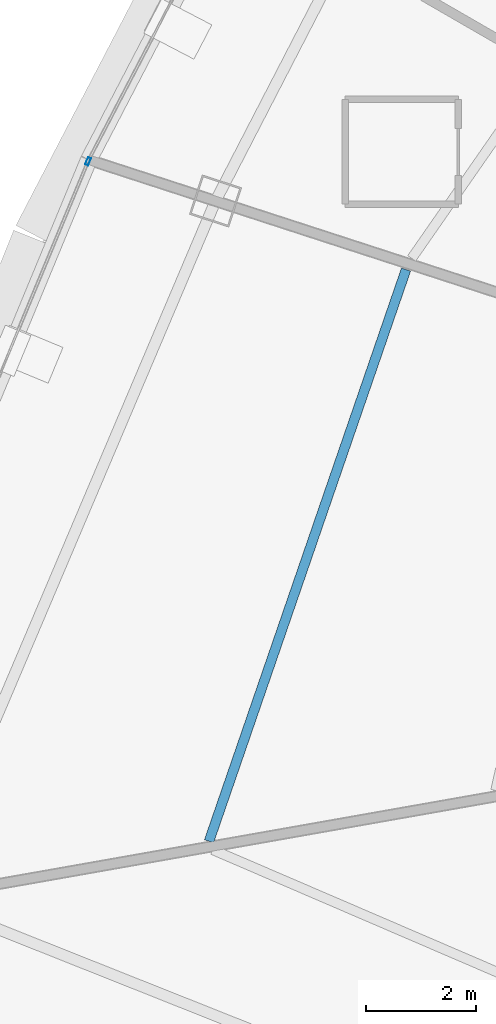
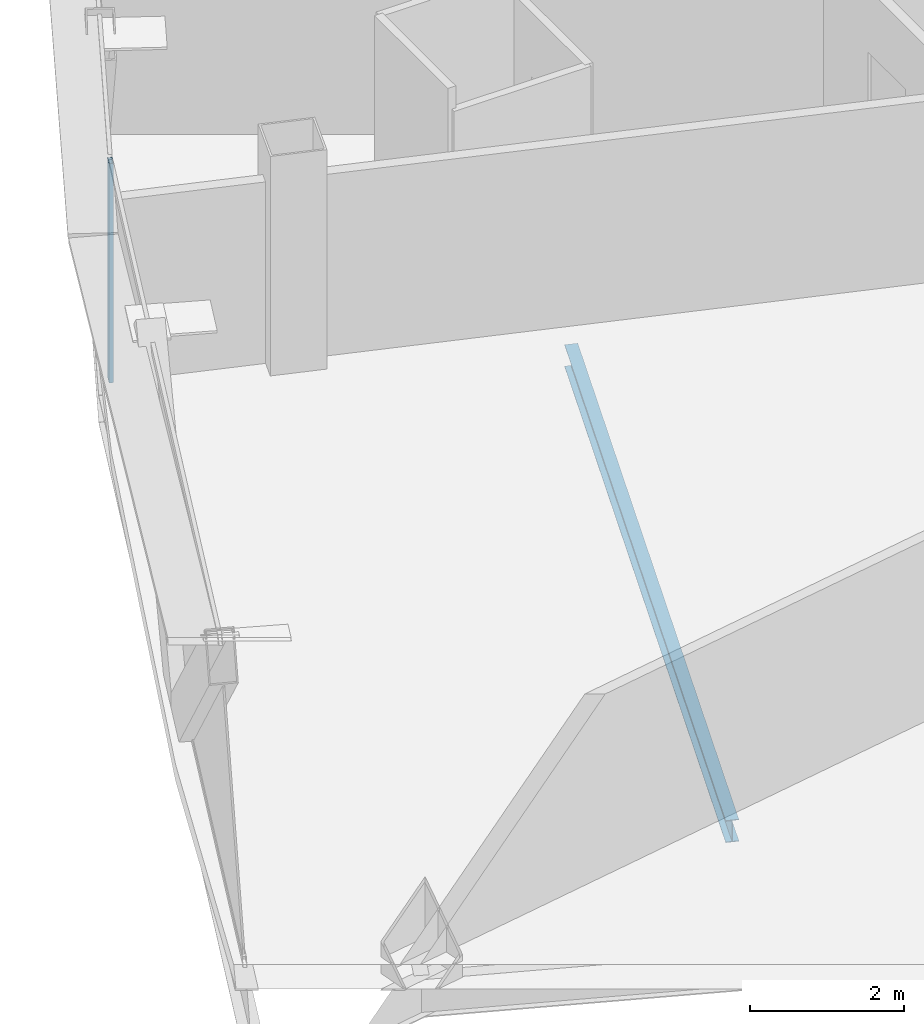
# One storey, part 8 of 39: 1 beam, 1 member, 1 element without a shape of its own.
"""IFC4 building model written with IfcOpenShell, lengths in metres."""

from ifc_helpers import new_model, si_unit, direction, frame, origin, origin_2d, place, context, subcontext, project, spatial, hollow_rectangle, i_section, extrude, source, transform, mapped, material, layer, layer_set, material_profile, profile_set, type_object, element, aggregate, save


model = new_model("IFC4")

# Units and contexts
model_context = context("Model", 3, precision=1e-05, world=origin(), true_north=direction((0.0, 1.0)))
body_context = subcontext(model_context, "Body", "Model", "MODEL_VIEW")
ifc_project = project(units=[si_unit("LENGTHUNIT", "METRE"), si_unit("AREAUNIT", "SQUARE_METRE"), si_unit("VOLUMEUNIT", "CUBIC_METRE"), si_unit("PLANEANGLEUNIT", "RADIAN"), si_unit("MASSUNIT", "GRAM", prefix="KILO"), si_unit("THERMODYNAMICTEMPERATUREUNIT", "KELVIN"), si_unit("POWERUNIT", "WATT")], contexts=[model_context])

# Site, building, storey
site_placement = place(None, origin())
site = spatial("IfcSite", under=ifc_project, at=site_placement, CompositionType="ELEMENT")
building_placement = place(site_placement, origin())
building = spatial("IfcBuilding", under=site, at=building_placement, Name="Yunzhuo Pagoda Commons", CompositionType="ELEMENT")
storey_placement = place(building_placement, frame((0.0, 0.0, 296.2099609375)))
storey = spatial("IfcBuildingStorey", under=building, at=storey_placement, Name="L74", CompositionType="ELEMENT", Elevation=296.2099609375)

# Beam
ifc_material_1 = material(Name="Structural steel Q355B", Category="steel")
ifc_material_profile_1 = material_profile(ifc_material_1, i_section(OverallWidth=0.175048828125, OverallDepth=0.35009765625, WebThickness=0.007080078125, FlangeThickness=0.010986328125, at=origin_2d()), Name="Structural steel Q355B")
ifc_profile_set_1 = profile_set([ifc_material_profile_1], Name="Structural steel Q355B")
beam_type = type_object("IfcBeamType", Name="B-JS2 Joist HN 350x175x7x11", PredefinedType="JOIST", material=ifc_profile_set_1)
shared_shape_1 = source(origin(), body_context, "Body", "SweptSolid", [
    extrude(i_section(OverallWidth=0.175048828125, OverallDepth=0.35009765625, WebThickness=0.007080078125, FlangeThickness=0.010986328125, at=origin_2d()), origin(), (0.0, 0.0, 1.0), 10.954345703125),
])
beam_placement = place(storey_placement, frame((28.14892578125, 40.029052734375, -0.43505859375), z_axis=(-0.325839571137, -0.945425075763, 0.0), x_axis=(0.945425075763, -0.325839571137, 0.0)))
element("IfcBeam", 1, at=beam_placement, inside=storey, type_object=beam_type, Name="L74 composite ring joist 2.11", PredefinedType="JOIST", context=body_context, shape_type="MappedRepresentation", body=[
    mapped(shared_shape_1, transform((0.0, 0.0, 0.0), scale=1.0)),
])

# Curtain wall, member
ifc_material_2 = material(Name="Anodized aluminium 6063-T6", Category="aluminium")
ifc_layer = layer(ifc_material_2, 0.139892578125)
ifc_layer_set = layer_set([ifc_layer], Name="Anodized aluminium 6063-T6")
curtain_wall_type = type_object("IfcCurtainWallType", Name="CW-HI High-Zone Ribbon Curtain Wall", PredefinedType="NOTDEFINED", material=ifc_layer_set)
curtain_wall_placement = place(storey_placement, origin())
curtain_wall = element("IfcCurtainWall", 2, at=curtain_wall_placement, inside=storey, type_object=curtain_wall_type, Name="L74 curtain wall CW-L74-F3B4", PredefinedType="NOTDEFINED")
ifc_material_profile_2 = material_profile(ifc_material_2, hollow_rectangle(XDim=0.06005859375, YDim=0.139892578125, WallThickness=0.00341796875, at=origin_2d()), Name="Anodized aluminium 6063-T6")
ifc_profile_set_2 = profile_set([ifc_material_profile_2], Name="Anodized aluminium 6063-T6")
member_type = type_object("IfcMemberType", Name="CW-HI-M Mullion RHS 140x60x3.5", PredefinedType="MULLION", material=ifc_profile_set_2)
shared_shape_2 = source(origin(), body_context, "Body", "SweptSolid", [
    extrude(hollow_rectangle(XDim=0.06005859375, YDim=0.139892578125, WallThickness=0.00341796875, at=origin_2d()), origin(), (0.0, 0.0, 1.0), 3.469970703125),
])
member_placement = place(storey_placement, frame((22.389404296875, 41.989990234375, 0.0), z_axis=(0.0, 0.0, 1.0), x_axis=(0.923899046183, -0.382636318796, 0.0)))
member = element("IfcMember", 3, at=member_placement, type_object=member_type, Name="CW mullion 1", PredefinedType="MULLION", context=body_context, shape_type="MappedRepresentation", body=[
    mapped(shared_shape_2, transform((0.0, 0.0, 0.0), scale=1.0)),
])
aggregate(curtain_wall, [member])

save(model, "model.ifc")
